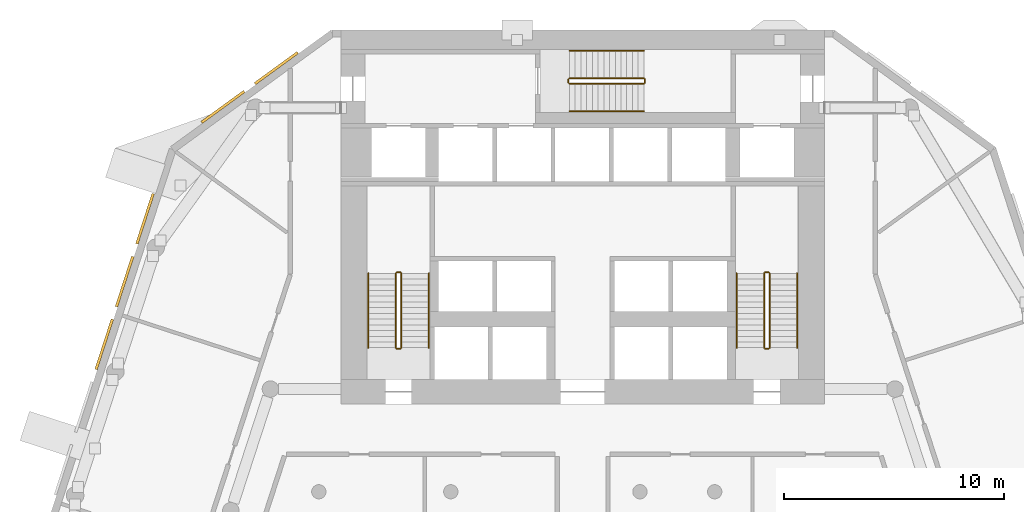
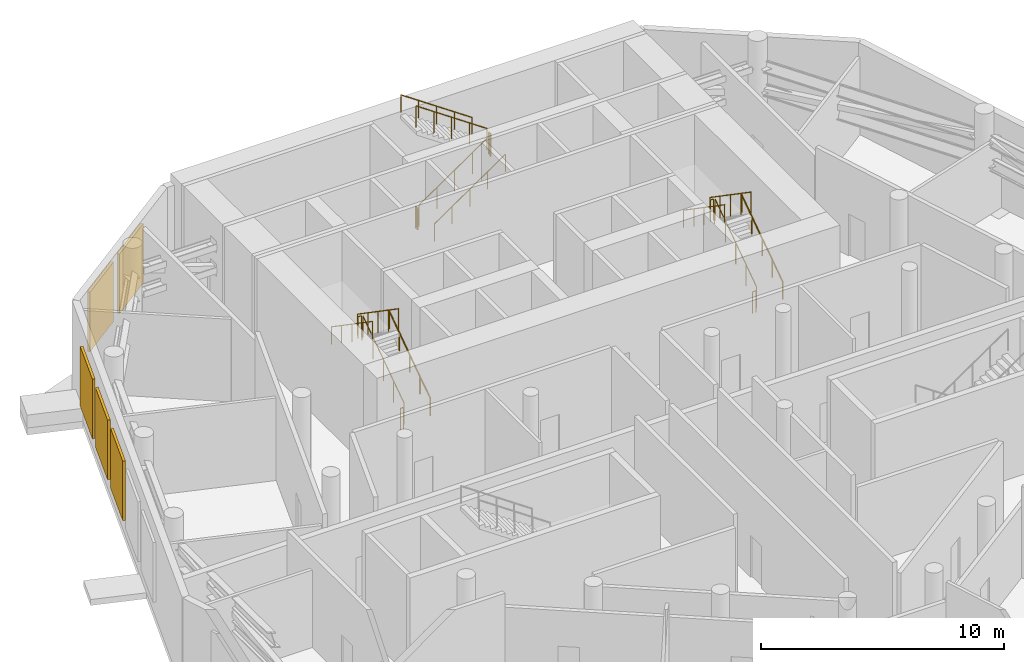
# One storey, part 14 of 15: 18 railings, 5 shading devices.
"""IFC4 building model written with IfcOpenShell, lengths in metres."""

from ifc_helpers import new_model, si_unit, direction, frame, origin, origin_2d, place, context, subcontext, project, spatial, rectangle, circle, extrude, material, type_object, element, save


model = new_model("IFC4")

# Units and contexts
model_context = context("Model", 3, precision=1e-05, world=origin(), true_north=direction((0.0, 1.0)))
body_context = subcontext(model_context, "Body", "Model", "MODEL_VIEW")
ifc_project = project(units=[si_unit("LENGTHUNIT", "METRE"), si_unit("AREAUNIT", "SQUARE_METRE"), si_unit("VOLUMEUNIT", "CUBIC_METRE"), si_unit("PLANEANGLEUNIT", "RADIAN"), si_unit("MASSUNIT", "GRAM", prefix="KILO")], contexts=[model_context])

# Site, building, storey
site_placement = place(None, origin())
site = spatial("IfcSite", under=ifc_project, at=site_placement, CompositionType="ELEMENT")
building_placement = place(site_placement, origin())
building = spatial("IfcBuilding", under=site, at=building_placement, Name="White Candle Pilgrim Tower", CompositionType="ELEMENT")
storey_placement = place(building_placement, frame((0.0, 0.0, 137.60009765625)))
storey = spatial("IfcBuildingStorey", under=building, at=storey_placement, Name="L31", CompositionType="ELEMENT", Elevation=137.60009765625)

# Shading devices
ifc_material_1 = material(Name="Aluminium", Category="aluminium")
shading_device_type = type_object("IfcShadingDeviceType", Name="Plant louvre LV1 2400x3000 aluminium framed", PredefinedType="USERDEFINED", material=ifc_material_1)
for number, where, z_axis, x_axis, name in (
    (1, (56.068603515625, 86.261962890625, 0.7998046875), (0.0, 0.0, 1.0), (-0.809016970913, -0.587785284585, 0.0), "Plant louvre L31 NW chamfer 1"),
    (2, (53.6416015625, 84.49853515625, 0.7998046875), (0.0, 0.0, 1.0), (-0.809016970913, -0.587785284585, 0.0), "Plant louvre L31 NW chamfer 2"),
    (3, (50.097900390625, 79.410888671875, 0.7998046875), (0.0, 0.0, 1.0), (-0.309017015705, -0.951056509365, 0.0), "Plant louvre L31 WNW 1"),
    (4, (49.1708984375, 76.5576171875, 0.7998046875), (0.0, 0.0, 1.0), (-0.309017015705, -0.951056509365, 0.0), "Plant louvre L31 WNW 2"),
    (5, (48.243896484375, 73.70458984375, 0.7998046875), (0.0, 0.0, 1.0), (-0.309017015705, -0.951056509365, 0.0), "Plant louvre L31 WNW 3"),
):
    element("IfcShadingDevice", number, at=place(storey_placement, frame(where, z_axis=z_axis, x_axis=x_axis)), inside=storey, type_object=shading_device_type, Name=name, ObjectType="LOUVRE", PredefinedType="USERDEFINED", context=body_context, shape_type="SweptSolid", body=[
        extrude(rectangle(XDim=2.39990234375, YDim=0.1201171875, at=origin_2d()), origin(), (0.0, 0.0, 1.0), 3.0),
    ])

# Railings
ifc_material_2 = material(Name="Stainless steel", Category="steel")
railing_type_1 = type_object("IfcRailingType", Name="Stair guard stainless steel 1100 mm", PredefinedType="GUARDRAIL", material=ifc_material_2)
railing_1_placement = place(storey_placement, frame((61.75, 73.550048828125, 0.178466796875)))
element("IfcRailing", 6, at=railing_1_placement, inside=storey, type_object=railing_type_1, Name="L31 ST1 stair guard 1", PredefinedType="GUARDRAIL", context=body_context, shape_type="SweptSolid", body=[
    extrude(circle(Radius=0.02392578125, at=origin_2d()), frame((0.0, 0.0, 1.076171875), z_axis=(0.0, 0.824285065979, 0.566174999451), x_axis=(-1.0, 0.0, 0.0)), (0.0, 0.0, 1.0), 4.100341796875),
    extrude(circle(Radius=0.02099609375, at=origin_2d()), origin(), (0.0, 0.0, 1.0), 1.052001953125),
    extrude(circle(Radius=0.02099609375, at=origin_2d()), frame((0.0, 0.844970703125, 0.580322265625)), (0.0, 0.0, 1.0), 1.052001953125),
    extrude(circle(Radius=0.02099609375, at=origin_2d()), frame((0.0, 1.68994140625, 1.16064453125)), (0.0, 0.0, 1.0), 1.052001953125),
    extrude(circle(Radius=0.02099609375, at=origin_2d()), frame((0.0, 2.534912109375, 1.7412109375)), (0.0, 0.0, 1.0), 1.052001953125),
    extrude(circle(Radius=0.02099609375, at=origin_2d()), frame((0.0, 3.3798828125, 2.321533203125)), (0.0, 0.0, 1.0), 1.052001953125),
])
railing_2_placement = place(storey_placement, frame((61.699951171875, 76.97998046875, 2.5)))
element("IfcRailing", 7, at=railing_2_placement, inside=storey, type_object=railing_type_1, Name="L31 ST1 stair guard 2", PredefinedType="GUARDRAIL", context=body_context, shape_type="SweptSolid", body=[
    extrude(circle(Radius=0.02392578125, at=origin_2d()), frame((0.0, 0.0, 1.076171875), z_axis=(-1.0, 0.0, 0.0), x_axis=(0.0, -1.0, 0.0)), (0.0, 0.0, 1.0), 0.14990234375),
    extrude(circle(Radius=0.02099609375, at=origin_2d()), origin(), (0.0, 0.0, 1.0), 1.052001953125),
    extrude(circle(Radius=0.02099609375, at=origin_2d()), frame((-0.14990234375, 0.0, 0.0)), (0.0, 0.0, 1.0), 1.052001953125),
])
railing_3_placement = place(storey_placement, frame((61.5, 76.929931640625, 2.678466796875)))
element("IfcRailing", 8, at=railing_3_placement, inside=storey, type_object=railing_type_1, Name="L31 ST1 stair guard 3", PredefinedType="GUARDRAIL", context=body_context, shape_type="SweptSolid", body=[
    extrude(circle(Radius=0.02392578125, at=origin_2d()), frame((0.0, 0.0, 1.076171875), z_axis=(0.0, -0.824285065979, 0.566174999451), x_axis=(1.0, 0.0, 0.0)), (0.0, 0.0, 1.0), 4.100341796875),
    extrude(circle(Radius=0.02099609375, at=origin_2d()), origin(), (0.0, 0.0, 1.0), 1.052001953125),
    extrude(circle(Radius=0.02099609375, at=origin_2d()), frame((0.0, -0.844970703125, 0.580322265625)), (0.0, 0.0, 1.0), 1.052001953125),
    extrude(circle(Radius=0.02099609375, at=origin_2d()), frame((0.0, -1.68994140625, 1.16064453125)), (0.0, 0.0, 1.0), 1.052001953125),
    extrude(circle(Radius=0.02099609375, at=origin_2d()), frame((0.0, -2.534912109375, 1.7412109375)), (0.0, 0.0, 1.0), 1.052001953125),
    extrude(circle(Radius=0.02099609375, at=origin_2d()), frame((0.0, -3.3798828125, 2.321533203125)), (0.0, 0.0, 1.0), 1.052001953125),
])
railing_4_placement = place(storey_placement, frame((61.699951171875, 73.5, 0.0)))
element("IfcRailing", 9, at=railing_4_placement, inside=storey, type_object=railing_type_1, Name="L31 ST1 stair guard 4", PredefinedType="GUARDRAIL", context=body_context, shape_type="SweptSolid", body=[
    extrude(circle(Radius=0.02392578125, at=origin_2d()), frame((0.0, 0.0, 1.076171875), z_axis=(-1.0, 0.0, 0.0), x_axis=(0.0, -1.0, 0.0)), (0.0, 0.0, 1.0), 0.14990234375),
    extrude(circle(Radius=0.02099609375, at=origin_2d()), origin(), (0.0, 0.0, 1.0), 1.052001953125),
    extrude(circle(Radius=0.02099609375, at=origin_2d()), frame((-0.14990234375, 0.0, 0.0)), (0.0, 0.0, 1.0), 1.052001953125),
])
railing_5_placement = place(storey_placement, frame((78.5, 73.550048828125, 0.178466796875)))
element("IfcRailing", 10, at=railing_5_placement, inside=storey, type_object=railing_type_1, Name="L31 ST2 stair guard 1", PredefinedType="GUARDRAIL", context=body_context, shape_type="SweptSolid", body=[
    extrude(circle(Radius=0.02392578125, at=origin_2d()), frame((0.0, 0.0, 1.076171875), z_axis=(0.0, 0.824285065979, 0.566174999451), x_axis=(-1.0, 0.0, 0.0)), (0.0, 0.0, 1.0), 4.100341796875),
    extrude(circle(Radius=0.02099609375, at=origin_2d()), origin(), (0.0, 0.0, 1.0), 1.052001953125),
    extrude(circle(Radius=0.02099609375, at=origin_2d()), frame((0.0, 0.844970703125, 0.580322265625)), (0.0, 0.0, 1.0), 1.052001953125),
    extrude(circle(Radius=0.02099609375, at=origin_2d()), frame((0.0, 1.68994140625, 1.16064453125)), (0.0, 0.0, 1.0), 1.052001953125),
    extrude(circle(Radius=0.02099609375, at=origin_2d()), frame((0.0, 2.534912109375, 1.7412109375)), (0.0, 0.0, 1.0), 1.052001953125),
    extrude(circle(Radius=0.02099609375, at=origin_2d()), frame((0.0, 3.3798828125, 2.321533203125)), (0.0, 0.0, 1.0), 1.052001953125),
])
railing_6_placement = place(storey_placement, frame((78.449951171875, 76.97998046875, 2.5)))
element("IfcRailing", 11, at=railing_6_placement, inside=storey, type_object=railing_type_1, Name="L31 ST2 stair guard 2", PredefinedType="GUARDRAIL", context=body_context, shape_type="SweptSolid", body=[
    extrude(circle(Radius=0.02392578125, at=origin_2d()), frame((0.0, 0.0, 1.076171875), z_axis=(-1.0, 0.0, 0.0), x_axis=(0.0, -1.0, 0.0)), (0.0, 0.0, 1.0), 0.14990234375),
    extrude(circle(Radius=0.02099609375, at=origin_2d()), origin(), (0.0, 0.0, 1.0), 1.052001953125),
    extrude(circle(Radius=0.02099609375, at=origin_2d()), frame((-0.14990234375, 0.0, 0.0)), (0.0, 0.0, 1.0), 1.052001953125),
])
railing_7_placement = place(storey_placement, frame((78.25, 76.929931640625, 2.678466796875)))
element("IfcRailing", 12, at=railing_7_placement, inside=storey, type_object=railing_type_1, Name="L31 ST2 stair guard 3", PredefinedType="GUARDRAIL", context=body_context, shape_type="SweptSolid", body=[
    extrude(circle(Radius=0.02392578125, at=origin_2d()), frame((0.0, 0.0, 1.076171875), z_axis=(0.0, -0.824285065979, 0.566174999451), x_axis=(1.0, 0.0, 0.0)), (0.0, 0.0, 1.0), 4.100341796875),
    extrude(circle(Radius=0.02099609375, at=origin_2d()), origin(), (0.0, 0.0, 1.0), 1.052001953125),
    extrude(circle(Radius=0.02099609375, at=origin_2d()), frame((0.0, -0.844970703125, 0.580322265625)), (0.0, 0.0, 1.0), 1.052001953125),
    extrude(circle(Radius=0.02099609375, at=origin_2d()), frame((0.0, -1.68994140625, 1.16064453125)), (0.0, 0.0, 1.0), 1.052001953125),
    extrude(circle(Radius=0.02099609375, at=origin_2d()), frame((0.0, -2.534912109375, 1.7412109375)), (0.0, 0.0, 1.0), 1.052001953125),
    extrude(circle(Radius=0.02099609375, at=origin_2d()), frame((0.0, -3.3798828125, 2.321533203125)), (0.0, 0.0, 1.0), 1.052001953125),
])
railing_8_placement = place(storey_placement, frame((78.449951171875, 73.5, 0.0)))
element("IfcRailing", 13, at=railing_8_placement, inside=storey, type_object=railing_type_1, Name="L31 ST2 stair guard 4", PredefinedType="GUARDRAIL", context=body_context, shape_type="SweptSolid", body=[
    extrude(circle(Radius=0.02392578125, at=origin_2d()), frame((0.0, 0.0, 1.076171875), z_axis=(-1.0, 0.0, 0.0), x_axis=(0.0, -1.0, 0.0)), (0.0, 0.0, 1.0), 0.14990234375),
    extrude(circle(Radius=0.02099609375, at=origin_2d()), origin(), (0.0, 0.0, 1.0), 1.052001953125),
    extrude(circle(Radius=0.02099609375, at=origin_2d()), frame((-0.14990234375, 0.0, 0.0)), (0.0, 0.0, 1.0), 1.052001953125),
])
railing_9_placement = place(storey_placement, frame((69.39990234375, 85.550048828125, 0.178466796875)))
element("IfcRailing", 14, at=railing_9_placement, inside=storey, type_object=railing_type_1, Name="L31 ST3 stair guard 1", PredefinedType="GUARDRAIL", context=body_context, shape_type="SweptSolid", body=[
    extrude(circle(Radius=0.02392578125, at=origin_2d()), frame((0.0, 0.0, 1.076171875), z_axis=(0.824304150675, 0.0, 0.566147213346), x_axis=(0.0, 1.0, 0.0)), (0.0, 0.0, 1.0), 4.1005859375),
    extrude(circle(Radius=0.02099609375, at=origin_2d()), origin(), (0.0, 0.0, 1.0), 1.052001953125),
    extrude(circle(Radius=0.02099609375, at=origin_2d()), frame((0.844970703125, 0.0, 0.580322265625)), (0.0, 0.0, 1.0), 1.052001953125),
    extrude(circle(Radius=0.02099609375, at=origin_2d()), frame((1.68994140625, 0.0, 1.16064453125)), (0.0, 0.0, 1.0), 1.052001953125),
    extrude(circle(Radius=0.02099609375, at=origin_2d()), frame((2.53515625, 0.0, 1.7412109375)), (0.0, 0.0, 1.0), 1.052001953125),
    extrude(circle(Radius=0.02099609375, at=origin_2d()), frame((3.380126953125, 0.0, 2.321533203125)), (0.0, 0.0, 1.0), 1.052001953125),
])
railing_10_placement = place(storey_placement, frame((72.830078125, 85.60009765625, 2.5)))
element("IfcRailing", 15, at=railing_10_placement, inside=storey, type_object=railing_type_1, Name="L31 ST3 stair guard 2", PredefinedType="GUARDRAIL", context=body_context, shape_type="SweptSolid", body=[
    extrude(circle(Radius=0.02392578125, at=origin_2d()), frame((0.0, 0.0, 1.076171875), z_axis=(0.0, 1.0, 0.0), x_axis=(-1.0, 0.0, 0.0)), (0.0, 0.0, 1.0), 0.14990234375),
    extrude(circle(Radius=0.02099609375, at=origin_2d()), origin(), (0.0, 0.0, 1.0), 1.052001953125),
    extrude(circle(Radius=0.02099609375, at=origin_2d()), frame((0.0, 0.14990234375, 0.0)), (0.0, 0.0, 1.0), 1.052001953125),
])
railing_11_placement = place(storey_placement, frame((72.780029296875, 85.800048828125, 2.678466796875)))
element("IfcRailing", 16, at=railing_11_placement, inside=storey, type_object=railing_type_1, Name="L31 ST3 stair guard 3", PredefinedType="GUARDRAIL", context=body_context, shape_type="SweptSolid", body=[
    extrude(circle(Radius=0.02392578125, at=origin_2d()), frame((0.0, 0.0, 1.076171875), z_axis=(-0.824304150675, 0.0, 0.566147213346), x_axis=(0.0, -1.0, 0.0)), (0.0, 0.0, 1.0), 4.1005859375),
    extrude(circle(Radius=0.02099609375, at=origin_2d()), origin(), (0.0, 0.0, 1.0), 1.052001953125),
    extrude(circle(Radius=0.02099609375, at=origin_2d()), frame((-0.844970703125, 0.0, 0.580322265625)), (0.0, 0.0, 1.0), 1.052001953125),
    extrude(circle(Radius=0.02099609375, at=origin_2d()), frame((-1.68994140625, 0.0, 1.16064453125)), (0.0, 0.0, 1.0), 1.052001953125),
    extrude(circle(Radius=0.02099609375, at=origin_2d()), frame((-2.53515625, 0.0, 1.7412109375)), (0.0, 0.0, 1.0), 1.052001953125),
    extrude(circle(Radius=0.02099609375, at=origin_2d()), frame((-3.380126953125, 0.0, 2.321533203125)), (0.0, 0.0, 1.0), 1.052001953125),
])
railing_12_placement = place(storey_placement, frame((69.35009765625, 85.60009765625, 0.0)))
element("IfcRailing", 17, at=railing_12_placement, inside=storey, type_object=railing_type_1, Name="L31 ST3 stair guard 4", PredefinedType="GUARDRAIL", context=body_context, shape_type="SweptSolid", body=[
    extrude(circle(Radius=0.02392578125, at=origin_2d()), frame((0.0, 0.0, 1.076171875), z_axis=(0.0, 1.0, 0.0), x_axis=(-1.0, 0.0, 0.0)), (0.0, 0.0, 1.0), 0.14990234375),
    extrude(circle(Radius=0.02099609375, at=origin_2d()), origin(), (0.0, 0.0, 1.0), 1.052001953125),
    extrude(circle(Radius=0.02099609375, at=origin_2d()), frame((0.0, 0.14990234375, 0.0)), (0.0, 0.0, 1.0), 1.052001953125),
])
railing_type_2 = type_object("IfcRailingType", Name="Stair handrail stainless steel", PredefinedType="HANDRAIL", material=ifc_material_2)
railing_13_placement = place(storey_placement, frame((63.0, 73.550048828125, 0.178466796875)))
element("IfcRailing", 18, at=railing_13_placement, inside=storey, type_object=railing_type_2, Name="L31 ST1 stair handrail 1", PredefinedType="HANDRAIL", context=body_context, shape_type="SweptSolid", body=[
    extrude(circle(Radius=0.02392578125, at=origin_2d()), frame((0.0, 0.0, 0.8759765625), z_axis=(0.0, 0.824285065979, 0.566174999451), x_axis=(-1.0, 0.0, 0.0)), (0.0, 0.0, 1.0), 4.100341796875),
    extrude(circle(Radius=0.02099609375, at=origin_2d()), origin(), (0.0, 0.0, 1.0), 0.851806640625),
    extrude(circle(Radius=0.02099609375, at=origin_2d()), frame((0.0, 0.844970703125, 0.580322265625)), (0.0, 0.0, 1.0), 0.851806640625),
    extrude(circle(Radius=0.02099609375, at=origin_2d()), frame((0.0, 1.68994140625, 1.16064453125)), (0.0, 0.0, 1.0), 0.851806640625),
    extrude(circle(Radius=0.02099609375, at=origin_2d()), frame((0.0, 2.534912109375, 1.7412109375)), (0.0, 0.0, 1.0), 0.851806640625),
    extrude(circle(Radius=0.02099609375, at=origin_2d()), frame((0.0, 3.3798828125, 2.321533203125)), (0.0, 0.0, 1.0), 0.851806640625),
])
railing_14_placement = place(storey_placement, frame((60.25, 76.929931640625, 2.678466796875)))
element("IfcRailing", 19, at=railing_14_placement, inside=storey, type_object=railing_type_2, Name="L31 ST1 stair handrail 2", PredefinedType="HANDRAIL", context=body_context, shape_type="SweptSolid", body=[
    extrude(circle(Radius=0.02392578125, at=origin_2d()), frame((0.0, 0.0, 0.8759765625), z_axis=(0.0, -0.824285065979, 0.566174999451), x_axis=(1.0, 0.0, 0.0)), (0.0, 0.0, 1.0), 4.100341796875),
    extrude(circle(Radius=0.02099609375, at=origin_2d()), origin(), (0.0, 0.0, 1.0), 0.851806640625),
    extrude(circle(Radius=0.02099609375, at=origin_2d()), frame((0.0, -0.844970703125, 0.580322265625)), (0.0, 0.0, 1.0), 0.851806640625),
    extrude(circle(Radius=0.02099609375, at=origin_2d()), frame((0.0, -1.68994140625, 1.16064453125)), (0.0, 0.0, 1.0), 0.851806640625),
    extrude(circle(Radius=0.02099609375, at=origin_2d()), frame((0.0, -2.534912109375, 1.7412109375)), (0.0, 0.0, 1.0), 0.851806640625),
    extrude(circle(Radius=0.02099609375, at=origin_2d()), frame((0.0, -3.3798828125, 2.321533203125)), (0.0, 0.0, 1.0), 0.851806640625),
])
railing_15_placement = place(storey_placement, frame((79.75, 73.550048828125, 0.178466796875)))
element("IfcRailing", 20, at=railing_15_placement, inside=storey, type_object=railing_type_2, Name="L31 ST2 stair handrail 1", PredefinedType="HANDRAIL", context=body_context, shape_type="SweptSolid", body=[
    extrude(circle(Radius=0.02392578125, at=origin_2d()), frame((0.0, 0.0, 0.8759765625), z_axis=(0.0, 0.824285065979, 0.566174999451), x_axis=(-1.0, 0.0, 0.0)), (0.0, 0.0, 1.0), 4.100341796875),
    extrude(circle(Radius=0.02099609375, at=origin_2d()), origin(), (0.0, 0.0, 1.0), 0.851806640625),
    extrude(circle(Radius=0.02099609375, at=origin_2d()), frame((0.0, 0.844970703125, 0.580322265625)), (0.0, 0.0, 1.0), 0.851806640625),
    extrude(circle(Radius=0.02099609375, at=origin_2d()), frame((0.0, 1.68994140625, 1.16064453125)), (0.0, 0.0, 1.0), 0.851806640625),
    extrude(circle(Radius=0.02099609375, at=origin_2d()), frame((0.0, 2.534912109375, 1.7412109375)), (0.0, 0.0, 1.0), 0.851806640625),
    extrude(circle(Radius=0.02099609375, at=origin_2d()), frame((0.0, 3.3798828125, 2.321533203125)), (0.0, 0.0, 1.0), 0.851806640625),
])
railing_16_placement = place(storey_placement, frame((77.0, 76.929931640625, 2.678466796875)))
element("IfcRailing", 21, at=railing_16_placement, inside=storey, type_object=railing_type_2, Name="L31 ST2 stair handrail 2", PredefinedType="HANDRAIL", context=body_context, shape_type="SweptSolid", body=[
    extrude(circle(Radius=0.02392578125, at=origin_2d()), frame((0.0, 0.0, 0.8759765625), z_axis=(0.0, -0.824285065979, 0.566174999451), x_axis=(1.0, 0.0, 0.0)), (0.0, 0.0, 1.0), 4.100341796875),
    extrude(circle(Radius=0.02099609375, at=origin_2d()), origin(), (0.0, 0.0, 1.0), 0.851806640625),
    extrude(circle(Radius=0.02099609375, at=origin_2d()), frame((0.0, -0.844970703125, 0.580322265625)), (0.0, 0.0, 1.0), 0.851806640625),
    extrude(circle(Radius=0.02099609375, at=origin_2d()), frame((0.0, -1.68994140625, 1.16064453125)), (0.0, 0.0, 1.0), 0.851806640625),
    extrude(circle(Radius=0.02099609375, at=origin_2d()), frame((0.0, -2.534912109375, 1.7412109375)), (0.0, 0.0, 1.0), 0.851806640625),
    extrude(circle(Radius=0.02099609375, at=origin_2d()), frame((0.0, -3.3798828125, 2.321533203125)), (0.0, 0.0, 1.0), 0.851806640625),
])
railing_17_placement = place(storey_placement, frame((69.39990234375, 84.300048828125, 0.178466796875)))
element("IfcRailing", 22, at=railing_17_placement, inside=storey, type_object=railing_type_2, Name="L31 ST3 stair handrail 1", PredefinedType="HANDRAIL", context=body_context, shape_type="SweptSolid", body=[
    extrude(circle(Radius=0.02392578125, at=origin_2d()), frame((0.0, 0.0, 0.8759765625), z_axis=(0.824304150675, 0.0, 0.566147213346), x_axis=(0.0, 1.0, 0.0)), (0.0, 0.0, 1.0), 4.1005859375),
    extrude(circle(Radius=0.02099609375, at=origin_2d()), origin(), (0.0, 0.0, 1.0), 0.851806640625),
    extrude(circle(Radius=0.02099609375, at=origin_2d()), frame((0.844970703125, 0.0, 0.580322265625)), (0.0, 0.0, 1.0), 0.851806640625),
    extrude(circle(Radius=0.02099609375, at=origin_2d()), frame((1.68994140625, 0.0, 1.16064453125)), (0.0, 0.0, 1.0), 0.851806640625),
    extrude(circle(Radius=0.02099609375, at=origin_2d()), frame((2.53515625, 0.0, 1.7412109375)), (0.0, 0.0, 1.0), 0.851806640625),
    extrude(circle(Radius=0.02099609375, at=origin_2d()), frame((3.380126953125, 0.0, 2.321533203125)), (0.0, 0.0, 1.0), 0.851806640625),
])
railing_18_placement = place(storey_placement, frame((72.780029296875, 87.050048828125, 2.678466796875)))
element("IfcRailing", 23, at=railing_18_placement, inside=storey, type_object=railing_type_2, Name="L31 ST3 stair handrail 2", PredefinedType="HANDRAIL", context=body_context, shape_type="SweptSolid", body=[
    extrude(circle(Radius=0.02392578125, at=origin_2d()), frame((0.0, 0.0, 0.8759765625), z_axis=(-0.824304150675, 0.0, 0.566147213346), x_axis=(0.0, -1.0, 0.0)), (0.0, 0.0, 1.0), 4.1005859375),
    extrude(circle(Radius=0.02099609375, at=origin_2d()), origin(), (0.0, 0.0, 1.0), 0.851806640625),
    extrude(circle(Radius=0.02099609375, at=origin_2d()), frame((-0.844970703125, 0.0, 0.580322265625)), (0.0, 0.0, 1.0), 0.851806640625),
    extrude(circle(Radius=0.02099609375, at=origin_2d()), frame((-1.68994140625, 0.0, 1.16064453125)), (0.0, 0.0, 1.0), 0.851806640625),
    extrude(circle(Radius=0.02099609375, at=origin_2d()), frame((-2.53515625, 0.0, 1.7412109375)), (0.0, 0.0, 1.0), 0.851806640625),
    extrude(circle(Radius=0.02099609375, at=origin_2d()), frame((-3.380126953125, 0.0, 2.321533203125)), (0.0, 0.0, 1.0), 0.851806640625),
])

save(model, "model.ifc")
